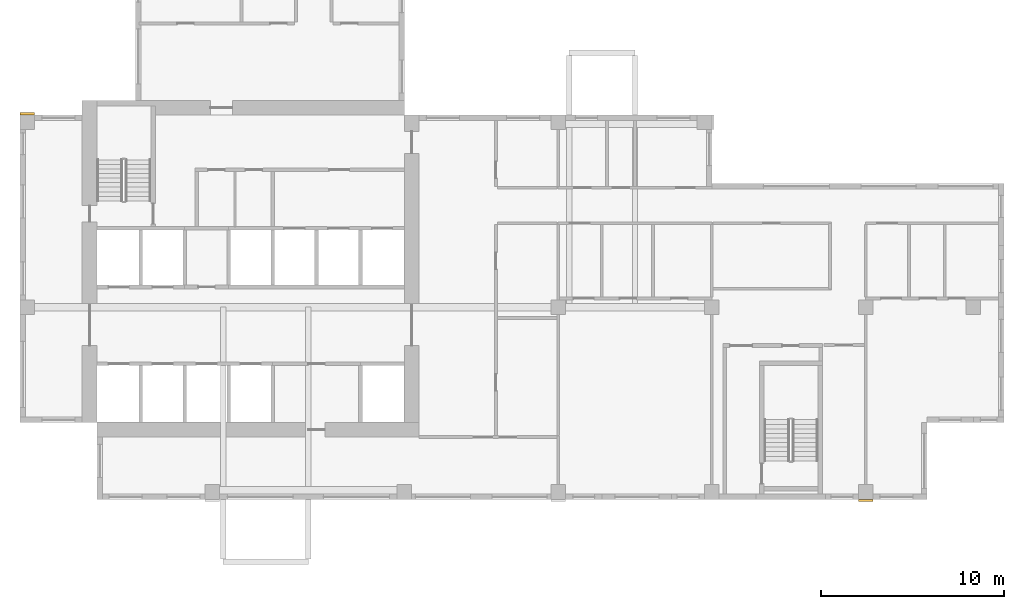
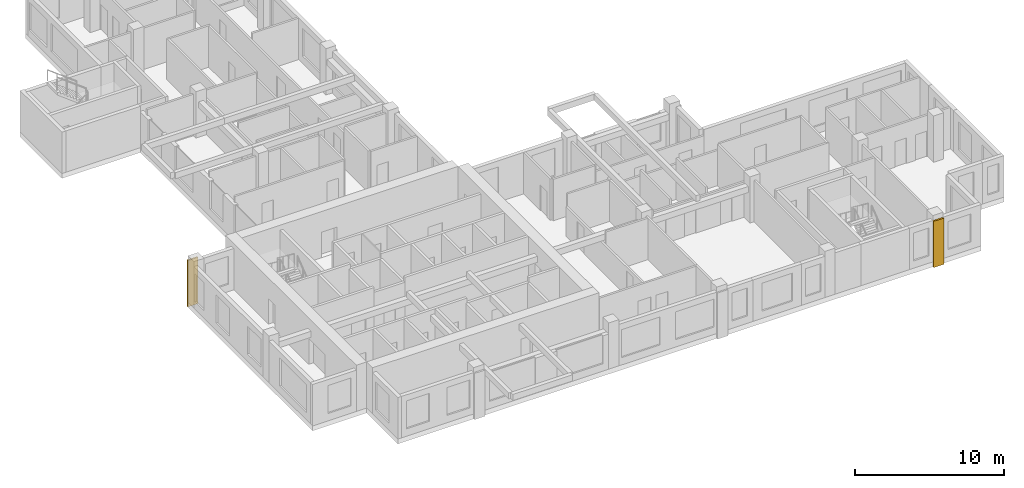
# One storey, part 9 of 11: 2 coverings.
"""IFC4 building model written with IfcOpenShell, lengths in metres."""

import ifcopenshell
import ifcopenshell.guid

model = None  # the IFC model being written
_history = None  # IfcOwnerHistory: only IFC2X3 demands one
_inside = {}  # id of a spatial element -> (the spatial element, [elements in it])
_under = {}  # id of a project, library or spatial element -> (it, [spatial elements below it])
_declared = {}  # id of a project -> (the project, [libraries it declares])
_typed = {}  # id of a type object -> (the type object, [elements of that type])
_made_of = {}  # id of a material, layer set ... -> (it, [elements and type objects made of it])


def new_model(schema):
    """Start an empty IFC model of exactly this schema.

    Asked for "IFC4X3", IfcOpenShell would pick the latest addendum, in which some entities
    have other attributes; the version numbers below select the first issue.
    IFC2X3 requires an IfcOwnerHistory on every rooted entity: one is made here for all.
    """
    global model, _history
    if schema == "IFC4X3":
        model = ifcopenshell.file(schema_version=(4, 3, 0, 0))
    else:
        model = ifcopenshell.file(schema=schema)
    _inside.clear()
    _under.clear()
    _declared.clear()
    _typed.clear()
    _made_of.clear()
    _history = None
    if model.schema == "IFC2X3":
        org = make("IfcOrganization", Name="unknown")
        user = make(
            "IfcPersonAndOrganization",
            ThePerson=make("IfcPerson", FamilyName="unknown"),
            TheOrganization=org,
        )
        app = make(
            "IfcApplication",
            ApplicationDeveloper=org,
            Version="unknown",
            ApplicationFullName="unknown",
            ApplicationIdentifier="unknown",
        )
        _history = make(
            "IfcOwnerHistory",
            OwningUser=user,
            OwningApplication=app,
            ChangeAction="ADDED",
            CreationDate=0,
        )
    return model


def make(cls, **values):
    """One entity of the class cls with the attributes given. An attribute that is None is left unset."""
    return model.create_entity(
        cls, **{name: value for name, value in values.items() if value is not None}
    )


def rooted(cls, **values):
    """An entity with a GlobalId (a new one), such as an element, a storey or a relation."""
    return make(cls, GlobalId=ifcopenshell.guid.new(), OwnerHistory=_history, **values)


def si_unit(unit_type, name, prefix=None):
    """IfcSIUnit, for example si_unit("LENGTHUNIT", "METRE", prefix="MILLI")."""
    return make("IfcSIUnit", UnitType=unit_type, Prefix=prefix, Name=name)


def assignment(units):
    """IfcUnitAssignment: the units of a project."""
    return None if units is None else make("IfcUnitAssignment", Units=units)


def point(xyz):
    """IfcCartesianPoint."""
    return None if xyz is None else make("IfcCartesianPoint", Coordinates=xyz)


def direction(xyz):
    """IfcDirection."""
    return None if xyz is None else make("IfcDirection", DirectionRatios=xyz)


def frame(location, z_axis=None, x_axis=None):
    """IfcAxis2Placement3D, a coordinate frame: its origin and axes. An axis left out is left unset."""
    return make(
        "IfcAxis2Placement3D",
        Location=point(location),
        Axis=direction(z_axis),
        RefDirection=direction(x_axis),
    )


def frame_2d(location, x_axis=None):
    """IfcAxis2Placement2D, a coordinate frame in the plane: its origin and x axis."""
    return make(
        "IfcAxis2Placement2D", Location=point(location), RefDirection=direction(x_axis)
    )


def origin():
    """The frame at (0, 0, 0) with its axes left unset."""
    return frame((0.0, 0.0, 0.0))


def origin_2d():
    """The frame at (0, 0) in the plane with its x axis left unset."""
    return frame_2d((0.0, 0.0))


def place(relative_to, where):
    """IfcLocalPlacement: puts the frame where relative to a parent placement (None: the world)."""
    return make(
        "IfcLocalPlacement", PlacementRelTo=relative_to, RelativePlacement=where
    )


def context(
    kind, dimensions, precision=None, world=None, true_north=None, identifier=None
):
    """IfcGeometricRepresentationContext, for example the 3D "Model" context."""
    return make(
        "IfcGeometricRepresentationContext",
        ContextIdentifier=identifier,
        ContextType=kind,
        CoordinateSpaceDimension=dimensions,
        Precision=precision,
        WorldCoordinateSystem=world,
        TrueNorth=true_north,
    )


def subcontext(parent, identifier, kind, view, scale=None):
    """IfcGeometricRepresentationSubContext, for example "Body" below "Model"."""
    return make(
        "IfcGeometricRepresentationSubContext",
        ContextIdentifier=identifier,
        ContextType=kind,
        ParentContext=parent,
        TargetScale=scale,
        TargetView=view,
    )


def project(units=None, contexts=None):
    """IfcProject with its units and contexts."""
    return rooted(
        "IfcProject",
        Name="project",
        RepresentationContexts=contexts,
        UnitsInContext=assignment(units),
    )


def spatial(cls, under=None, at=None, **own):
    """A site, building, storey or space (cls), placed at a placement, below another one or the project."""
    s = rooted(cls, ObjectPlacement=at, **own)
    if under is not None:
        _under.setdefault(under.id(), (under, []))[1].append(s)
    return s


def profile(cls, at=None, kind="AREA", **sizes):
    """A parametric profile (cls). Its sizes go by their IFC names, for example OverallWidth=200.0."""
    return make(cls, ProfileType=kind, Position=at, **sizes)


def rectangle(**sizes):
    """IfcRectangleProfileDef."""
    return profile("IfcRectangleProfileDef", **sizes)


def extrude(swept, where, along, depth):
    """IfcExtrudedAreaSolid: the profile swept, set in the frame where, extruded along a direction by depth."""
    return make(
        "IfcExtrudedAreaSolid",
        SweptArea=swept,
        Position=where,
        ExtrudedDirection=direction(along),
        Depth=depth,
    )


def shape(context_of_items, identifier, shape_type, items):
    """IfcShapeRepresentation: the items that make up one representation, for example the "Body"."""
    return make(
        "IfcShapeRepresentation",
        ContextOfItems=context_of_items,
        RepresentationIdentifier=identifier,
        RepresentationType=shape_type,
        Items=items,
    )


def source(mapping_origin, context_of_items, identifier, shape_type, items):
    """IfcRepresentationMap: a shape defined once, which mapped items show again and again."""
    return make(
        "IfcRepresentationMap",
        MappingOrigin=mapping_origin,
        MappedRepresentation=shape(context_of_items, identifier, shape_type, items),
    )


def transform(
    local_origin,
    x_axis=None,
    y_axis=None,
    z_axis=None,
    scale=None,
    scale2=None,
    scale3=None,
    uniform=True,
):
    """IfcCartesianTransformationOperator3D, or its non-uniform kind. x_axis, y_axis, z_axis: its Axis1, 2, 3."""
    if uniform:
        return make(
            "IfcCartesianTransformationOperator3D",
            Axis1=direction(x_axis),
            Axis2=direction(y_axis),
            LocalOrigin=point(local_origin),
            Scale=scale,
            Axis3=direction(z_axis),
        )
    return make(
        "IfcCartesianTransformationOperator3DnonUniform",
        Axis1=direction(x_axis),
        Axis2=direction(y_axis),
        LocalOrigin=point(local_origin),
        Scale=scale,
        Axis3=direction(z_axis),
        Scale2=scale2,
        Scale3=scale3,
    )


def mapped(mapping_source, mapping_target):
    """IfcMappedItem: shows the shape of a source again, moved by a transform."""
    return make(
        "IfcMappedItem", MappingSource=mapping_source, MappingTarget=mapping_target
    )


def material(Name=None, Category=None):
    """IfcMaterial."""
    return make("IfcMaterial", Name=Name, Category=Category)


def made_of(thing, what):
    """Note that an element or type object is made of a material, layer set ...; save() writes the relation."""
    if what is not None:
        _made_of.setdefault(what.id(), (what, []))[1].append(thing)
    return thing


def type_object(cls, material=None, **own):
    """A type object (cls), such as IfcWallType, which elements share."""
    return made_of(rooted(cls, **own), material)


def element(
    cls,
    number,
    at=None,
    inside=None,
    cuts=None,
    type_object=None,
    material=None,
    context=None,
    identifier="Body",
    shape_type=None,
    held_by="IfcProductDefinitionShape",
    body=None,
    shapes=None,
    **own,
):
    """One element of the class cls, such as IfcWall. Its Tag is "e" and its number.

    at: its placement. inside: the storey or other place that contains it. cuts: it is an
    opening in that element (IfcRelVoidsElement). A single representation is given by context,
    identifier, shape_type and body (its items); several are given by shapes. held_by: the class
    of the entity that holds the representations. save() writes the other relations.
    """
    e = rooted(cls, Tag="e%d" % number, ObjectPlacement=at, **own)
    if body is not None:
        shapes = [shape(context, identifier, shape_type, body)]
    if shapes is not None:
        e.Representation = make(held_by, Representations=shapes)
    if inside is not None:
        _inside.setdefault(inside.id(), (inside, []))[1].append(e)
    if cuts is not None:
        rooted(
            "IfcRelVoidsElement", RelatingBuildingElement=cuts, RelatedOpeningElement=e
        )
    if type_object is not None:
        _typed.setdefault(type_object.id(), (type_object, []))[1].append(e)
    return made_of(e, material)


def aggregate(whole, parts):
    """IfcRelAggregates: a whole, such as a stair, and the parts it consists of."""
    return rooted("IfcRelAggregates", RelatingObject=whole, RelatedObjects=parts)


def save(model, path):
    """Write the relations noted so far, then the file.

    IfcRelAggregates (storeys below a building ...), IfcRelContainedInSpatialStructure (elements
    in a storey), IfcRelDefinesByType, IfcRelAssociatesMaterial and IfcRelDeclares: one each for
    every whole, place, type object, material and project.
    """
    for whole, parts in _under.values():
        aggregate(whole, parts)
    for where, things in _inside.values():
        rooted(
            "IfcRelContainedInSpatialStructure",
            RelatedElements=things,
            RelatingStructure=where,
        )
    for kind, things in _typed.values():
        rooted("IfcRelDefinesByType", RelatedObjects=things, RelatingType=kind)
    for what, things in _made_of.values():
        rooted("IfcRelAssociatesMaterial", RelatedObjects=things, RelatingMaterial=what)
    for by, libraries in _declared.values():
        rooted("IfcRelDeclares", RelatingContext=by, RelatedDefinitions=libraries)
    model.write(path)


model = new_model("IFC4")

# Units and contexts
model_context = context("Model", 3, precision=1e-05, world=origin(), true_north=direction((0.0, 1.0)))
body_context = subcontext(model_context, "Body", "Model", "MODEL_VIEW")
ifc_project = project(units=[si_unit("LENGTHUNIT", "METRE"), si_unit("AREAUNIT", "SQUARE_METRE"), si_unit("VOLUMEUNIT", "CUBIC_METRE"), si_unit("PLANEANGLEUNIT", "RADIAN"), si_unit("MASSUNIT", "GRAM", prefix="KILO")], contexts=[model_context])

# Site, building, storey
site_placement = place(None, origin())
site = spatial("IfcSite", under=ifc_project, at=site_placement, CompositionType="ELEMENT")
building_placement = place(site_placement, origin())
building = spatial("IfcBuilding", under=site, at=building_placement, Name="Aurelian Terraces", CompositionType="ELEMENT")
storey_placement = place(building_placement, frame((0.0, 0.0, 250.0)))
storey = spatial("IfcBuildingStorey", under=building, at=storey_placement, Name="L57", CompositionType="ELEMENT", Elevation=250.0)

# Coverings
ifc_material = material(Name="Terracotta rainscreen cladding relief", Category="masonry")
covering_type = type_object("IfcCoveringType", Name="BAGUETTE-TC", PredefinedType="CLADDING", material=ifc_material)
shared_shape = source(origin(), body_context, "Body", "SweptSolid", [
    extrude(rectangle(XDim=0.8, YDim=0.12, at=origin_2d()), origin(), (0.0, 0.0, 1.0), 3.8),
])
for number, where, z_axis, x_axis, name in (
    (1, (46.2, -0.06, -0.4), (0.0, 0.0, 1.0), (1.0, 0.0, 0.0), "BAGUETTE pier L57 3"),
    (2, (0.4, 21.06, -0.4), (0.0, 0.0, 1.0), (1.0, 0.0, 0.0), "BAGUETTE pier L57 4"),
):
    element("IfcCovering", number, at=place(storey_placement, frame(where, z_axis=z_axis, x_axis=x_axis)), inside=storey, type_object=covering_type, Name=name, PredefinedType="CLADDING", context=body_context, shape_type="MappedRepresentation", body=[
        mapped(shared_shape, transform((0.0, 0.0, 0.0), scale=1.0)),
    ])

save(model, "model.ifc")
